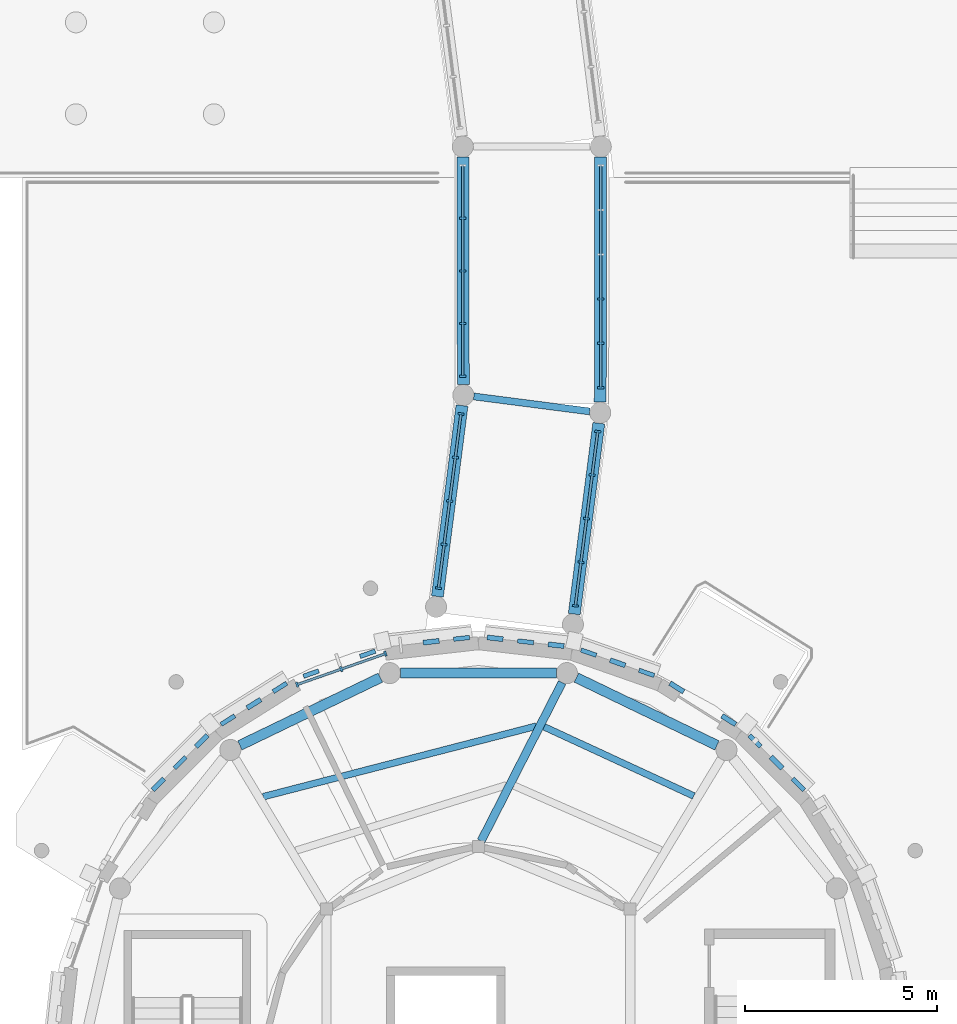
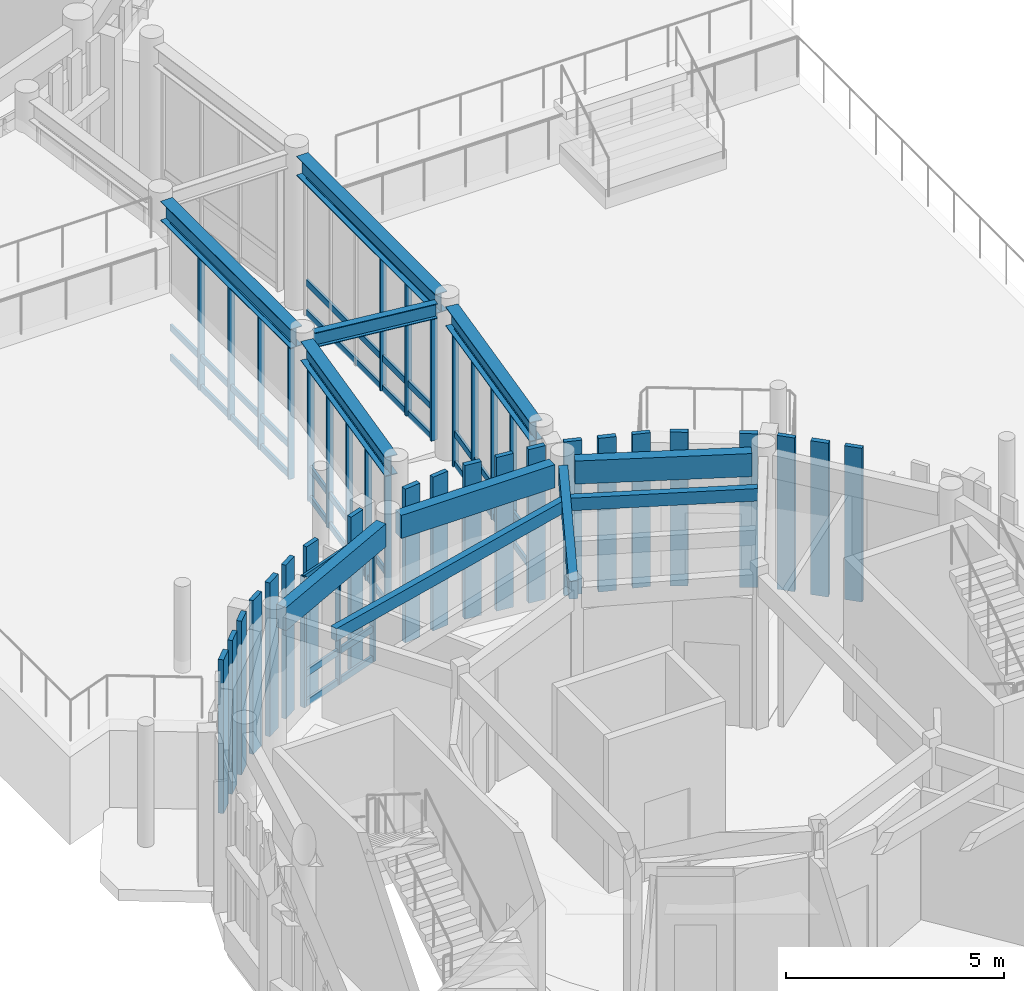
# One storey, part 19 of 94: 56 members, 11 beams, 5 elements without a shape of their own.
"""IFC4 building model written with IfcOpenShell, lengths in metres."""

from ifc_helpers import new_model, si_unit, direction, frame, origin, origin_2d, place, context, subcontext, project, spatial, rectangle, i_section, extrude, material, layer, layer_set, material_profile, profile_set, type_object, element, aggregate, save


model = new_model("IFC4")

# Units and contexts
model_context = context("Model", 3, precision=1e-05, world=origin(), true_north=direction((0.0, 1.0)))
body_context = subcontext(model_context, "Body", "Model", "MODEL_VIEW")
ifc_project = project(units=[si_unit("LENGTHUNIT", "METRE"), si_unit("AREAUNIT", "SQUARE_METRE"), si_unit("VOLUMEUNIT", "CUBIC_METRE"), si_unit("PLANEANGLEUNIT", "RADIAN"), si_unit("MASSUNIT", "GRAM", prefix="KILO")], contexts=[model_context])

# Site, building, storey
site_placement = place(None, origin())
site = spatial("IfcSite", under=ifc_project, at=site_placement, CompositionType="ELEMENT")
building_placement = place(site_placement, origin())
building = spatial("IfcBuilding", under=site, at=building_placement, Name="Aldenvaro Health Centre", CompositionType="ELEMENT")
storey_placement = place(building_placement, origin())
storey = spatial("IfcBuildingStorey", under=building, at=storey_placement, Name="L00", CompositionType="ELEMENT", Elevation=0.0)

# Beams
ifc_material_1 = material(Name="Glulam GL28h", Category="wood")
ifc_material_profile_1 = material_profile(ifc_material_1, rectangle(XDim=0.175048828125, YDim=0.35009765625, at=origin_2d()), Name="GL 175x350", Category="wood")
ifc_profile_set_1 = profile_set([ifc_material_profile_1], Name="Glulam GL28h")
beam_type_1 = type_object("IfcBeamType", Name="BM-GL-350", PredefinedType="JOIST", material=ifc_profile_set_1)
beam_1_placement = place(storey_placement, frame((29.12109375, 64.4140625, 4.1298828125), z_axis=(-0.907768314823, 0.419471913963, 0.0), x_axis=(-0.419471913963, -0.907768314823, 0.0)))
element("IfcBeam", 1, at=beam_1_placement, inside=storey, type_object=beam_type_1, Name="D3 L00 secondary joist 01.2", PredefinedType="JOIST", context=body_context, shape_type="SweptSolid", body=[
    extrude(rectangle(XDim=0.175048828125, YDim=0.35009765625, at=origin_2d()), origin(), (0.0, 0.0, 1.0), 4.302978515625),
])
beam_2_placement = place(storey_placement, frame((25.012939453125, 66.237060546875, 4.1298828125), z_axis=(-0.968184326998, -0.250238104522, 0.0), x_axis=(0.250238104522, -0.968184326998, 0.0)))
element("IfcBeam", 2, at=beam_2_placement, inside=storey, type_object=beam_type_1, Name="D3 L00 secondary joist 02.2", PredefinedType="JOIST", context=body_context, shape_type="SweptSolid", body=[
    extrude(rectangle(XDim=0.175048828125, YDim=0.35009765625, at=origin_2d()), origin(), (0.0, 0.0, 1.0), 7.361083984375),
])
ifc_material_profile_2 = material_profile(ifc_material_1, rectangle(XDim=0.215087890625, YDim=0.493896484375, at=origin_2d()), Name="GL 215x494", Category="wood")
ifc_profile_set_2 = profile_set([ifc_material_profile_2], Name="Glulam GL28h")
beam_type_2 = type_object("IfcBeamType", Name="BM-GL-494", PredefinedType="BEAM", material=ifc_profile_set_2)
beam_3_placement = place(storey_placement, frame((23.572021484375, 63.239990234375, 4.05810546875), z_axis=(0.455040655824, 0.890470662934, 0.0), x_axis=(-0.890470662934, 0.455040655824, 0.0)))
element("IfcBeam", 3, at=beam_3_placement, inside=storey, type_object=beam_type_2, Name="D3 L00 radial beam 02", PredefinedType="BEAM", context=body_context, shape_type="SweptSolid", body=[
    extrude(rectangle(XDim=0.215087890625, YDim=0.493896484375, at=origin_2d()), origin(), (0.0, 0.0, 1.0), 4.6435546875),
])
ifc_material_profile_3 = material_profile(ifc_material_1, rectangle(XDim=0.264892578125, YDim=0.64599609375, at=origin_2d()), Name="GL 265x646", Category="wood")
ifc_profile_set_3 = profile_set([ifc_material_profile_3], Name="Glulam GL28h")
beam_type_3 = type_object("IfcBeamType", Name="BM-GL-646", PredefinedType="SPANDREL", material=ifc_profile_set_3)
beam_4_placement = place(storey_placement, frame((29.72412109375, 65.73388671875, 3.98193359375), z_axis=(-0.900812260888, 0.434208786914, 0.0), x_axis=(-0.434208786914, -0.900812260888, 0.0)))
element("IfcBeam", 4, at=beam_4_placement, inside=storey, type_object=beam_type_3, Name="D3 L00 perimeter spandrel 03", PredefinedType="SPANDREL", context=body_context, shape_type="SweptSolid", body=[
    extrude(rectangle(XDim=0.264892578125, YDim=0.64599609375, at=origin_2d()), origin(), (0.0, 0.0, 1.0), 4.069580078125),
])
beam_5_placement = place(storey_placement, frame((25.534912109375, 67.6201171875, 3.98193359375), z_axis=(-1.0, 0.0, 0.0), x_axis=(0.0, -1.0, 0.0)))
element("IfcBeam", 5, at=beam_5_placement, inside=storey, type_object=beam_type_3, Name="D3 L00 perimeter spandrel 04", PredefinedType="SPANDREL", context=body_context, shape_type="SweptSolid", body=[
    extrude(rectangle(XDim=0.264892578125, YDim=0.64599609375, at=origin_2d()), origin(), (0.0, 0.0, 1.0), 4.06982421875),
])
beam_6_placement = place(storey_placement, frame((20.94189453125, 67.5009765625, 3.98193359375), z_axis=(-0.900812260888, -0.434208786914, 0.0), x_axis=(0.434208786914, -0.900812260888, 0.0)))
element("IfcBeam", 6, at=beam_6_placement, inside=storey, type_object=beam_type_3, Name="D3 L00 perimeter spandrel 05", PredefinedType="SPANDREL", context=body_context, shape_type="SweptSolid", body=[
    extrude(rectangle(XDim=0.264892578125, YDim=0.64599609375, at=origin_2d()), origin(), (0.0, 0.0, 1.0), 4.069580078125),
])
ifc_material_2 = material(Name="Steel ASTM A992 Grade 50", Category="steel")
ifc_material_profile_4 = material_profile(ifc_material_2, i_section(OverallWidth=0.180908203125, OverallDepth=0.4169921875, WebThickness=0.010986328125, FlangeThickness=0.018310546875, at=origin_2d()), Name="W16X57", Category="steel")
ifc_profile_set_4 = profile_set([ifc_material_profile_4], Name="Steel ASTM A992 Grade 50")
beam_type_4 = type_object("IfcBeamType", Name="BM-ST-W16E", PredefinedType="JOIST", material=ifc_profile_set_4)
beam_7_placement = place(storey_placement, frame((23.381103515625, 74.837890625, 4.135986328125), z_axis=(0.991789992039, -0.127877330638, 0.0), x_axis=(0.127877330638, 0.991789992039, 0.0)))
element("IfcBeam", 7, at=beam_7_placement, inside=storey, type_object=beam_type_4, Name="West North Curved Garden Walkway Arc 1 L00 cross beam 2", PredefinedType="JOIST", context=body_context, shape_type="SweptSolid", body=[
    extrude(i_section(OverallWidth=0.180908203125, OverallDepth=0.4169921875, WebThickness=0.010986328125, FlangeThickness=0.018310546875, at=origin_2d()), origin(), (0.0, 0.0, 1.0), 3.049072265625),
])
ifc_material_profile_5 = material_profile(ifc_material_2, i_section(OverallWidth=0.31201171875, OverallDepth=0.54296875, WebThickness=0.0126953125, FlangeThickness=0.020263671875, at=origin_2d()), Name="W21X101", Category="steel")
ifc_profile_set_5 = profile_set([ifc_material_profile_5], Name="Steel ASTM A992 Grade 50")
beam_type_5 = type_object("IfcBeamType", Name="BM-ST-W21E", PredefinedType="BEAM", material=ifc_profile_set_5)
for number, where, z_axis, x_axis, name in (
    (8, (22.430908203125, 69.6201171875, 4.073974609375), (0.127875685698, 0.99179020413, 0.0), (-0.99179020413, 0.127875685698, 0.0), "West North Curved Garden Walkway Arc 1 L00 girder L-1"),
    (9, (26.0009765625, 69.159912109375, 4.073974609375), (0.127875685698, 0.99179020413, 0.0), (-0.99179020413, 0.127875685698, 0.0), "West North Curved Garden Walkway Arc 1 L00 girder R-1"),
):
    element("IfcBeam", number, at=place(storey_placement, frame(where, z_axis=z_axis, x_axis=x_axis)), inside=storey, type_object=beam_type_5, Name=name, PredefinedType="BEAM", context=body_context, shape_type="SweptSolid", body=[
        extrude(i_section(OverallWidth=0.31201171875, OverallDepth=0.54296875, WebThickness=0.0126953125, FlangeThickness=0.020263671875, at=origin_2d()), origin(), (0.0, 0.0, 1.0), 5.021240234375),
    ])
beam_8_placement = place(storey_placement, frame((23.10693359375, 75.14794921875, 4.073974609375), z_axis=(-0.002180526372, 0.99999762265, 0.0), x_axis=(-0.99999762265, -0.002180526372, 0.0)))
element("IfcBeam", 10, at=beam_8_placement, inside=storey, type_object=beam_type_5, Name="West North Curved Garden Walkway Arc 2 L00 girder L-1", PredefinedType="BEAM", context=body_context, shape_type="SweptSolid", body=[
    extrude(i_section(OverallWidth=0.31201171875, OverallDepth=0.54296875, WebThickness=0.0126953125, FlangeThickness=0.020263671875, at=origin_2d()), origin(), (0.0, 0.0, 1.0), 5.93408203125),
])
beam_9_placement = place(storey_placement, frame((26.678955078125, 74.68798828125, 4.073974609375), z_axis=(0.002023669014, 0.99999795238, 0.0), x_axis=(-0.99999795238, 0.002023669014, 0.0)))
element("IfcBeam", 11, at=beam_9_placement, inside=storey, type_object=beam_type_5, Name="West North Curved Garden Walkway Arc 2 L00 girder R-1", PredefinedType="BEAM", context=body_context, shape_type="SweptSolid", body=[
    extrude(i_section(OverallWidth=0.31201171875, OverallDepth=0.54296875, WebThickness=0.0126953125, FlangeThickness=0.020263671875, at=origin_2d()), origin(), (0.0, 0.0, 1.0), 6.39404296875),
])

# Curtain wall, members
ifc_material_3 = material(Name="Anodised Aluminium 6063-T6", Category="aluminium")
ifc_layer_1 = layer(ifc_material_3, 0.195068359375, Name="Anodised Aluminium 6063-T6", Category="aluminium")
ifc_layer_set_1 = layer_set([ifc_layer_1], Name="Anodised Aluminium 6063-T6")
curtain_wall_type_1 = type_object("IfcCurtainWallType", Name="CW-CLN-02", PredefinedType="NOTDEFINED", material=ifc_layer_set_1)
curtain_wall_1_placement = place(storey_placement, origin())
curtain_wall_1 = element("IfcCurtainWall", 12, at=curtain_wall_1_placement, inside=storey, type_object=curtain_wall_type_1, Name="D3 L00 curtain wall bay 20", PredefinedType="NOTDEFINED")
ifc_material_profile_6 = material_profile(ifc_material_3, rectangle(XDim=0.06005859375, YDim=0.135009765625, at=origin_2d()), Name="ALU 60x135", Category="aluminium")
ifc_profile_set_6 = profile_set([ifc_material_profile_6], Name="Anodised Aluminium 6063-T6")
member_type_1 = type_object("IfcMemberType", Name="CWM-150", PredefinedType="MULLION", material=ifc_profile_set_6)
member_1_placement = place(storey_placement, frame((18.77099609375, 67.321044921875, 0.0), z_axis=(0.0, 0.0, 1.0), x_axis=(0.943909441385, 0.330204431323, 0.0)))
member_1 = element("IfcMember", 13, at=member_1_placement, type_object=member_type_1, Name="D3 L00 curtain wall bay 20 mullion 1", PredefinedType="MULLION", context=body_context, shape_type="SweptSolid", body=[
    extrude(rectangle(XDim=0.06005859375, YDim=0.135009765625, at=origin_2d()), origin(), (0.0, 0.0, 1.0), 3.658935546875),
])
member_2_placement = place(storey_placement, frame((19.923095703125, 67.72412109375, 0.0), z_axis=(0.0, 0.0, 1.0), x_axis=(0.943909441385, 0.330204431323, 0.0)))
member_2 = element("IfcMember", 14, at=member_2_placement, type_object=member_type_1, Name="D3 L00 curtain wall bay 20 mullion 2", PredefinedType="MULLION", context=body_context, shape_type="SweptSolid", body=[
    extrude(rectangle(XDim=0.06005859375, YDim=0.135009765625, at=origin_2d()), origin(), (0.0, 0.0, 1.0), 3.658935546875),
])
member_3_placement = place(storey_placement, frame((21.074951171875, 68.126953125, 0.0), z_axis=(0.0, 0.0, 1.0), x_axis=(0.943909441385, 0.330204431323, 0.0)))
member_3 = element("IfcMember", 15, at=member_3_placement, type_object=member_type_1, Name="D3 L00 curtain wall bay 20 mullion 3", PredefinedType="MULLION", context=body_context, shape_type="SweptSolid", body=[
    extrude(rectangle(XDim=0.06005859375, YDim=0.135009765625, at=origin_2d()), origin(), (0.0, 0.0, 1.0), 3.658935546875),
])

ifc_layer_2 = layer(ifc_material_3, 0.2099609375, Name="Anodised Aluminium 6063-T6", Category="aluminium")
ifc_layer_set_2 = layer_set([ifc_layer_2], Name="Anodised Aluminium 6063-T6")
curtain_wall_type_2 = type_object("IfcCurtainWallType", Name="CW-BRG-03", PredefinedType="NOTDEFINED", material=ifc_layer_set_2)
curtain_wall_2_placement = place(storey_placement, origin())
curtain_wall_2 = element("IfcCurtainWall", 16, at=curtain_wall_2_placement, inside=storey, type_object=curtain_wall_type_2, Name="West North Curved Garden Walkway Arc 1 L00 glazed link wall L-1.1", PredefinedType="NOTDEFINED")
ifc_material_profile_7 = material_profile(ifc_material_3, rectangle(XDim=0.06005859375, YDim=0.159912109375, at=origin_2d()), Name="ALU 60x160", Category="aluminium")
ifc_profile_set_7 = profile_set([ifc_material_profile_7], Name="Anodised Aluminium 6063-T6")
member_type_2 = type_object("IfcMemberType", Name="CWM-180", PredefinedType="MULLION", material=ifc_profile_set_7)
member_4_placement = place(storey_placement, frame((22.458984375, 69.8369140625, 0.0), z_axis=(0.0, 0.0, 1.0), x_axis=(0.127846732711, 0.99179393673, 0.0)))
member_4 = element("IfcMember", 17, at=member_4_placement, type_object=member_type_2, Name="West North Curved Garden Walkway Arc 1 L00 glazed link wall L-1.1 mullion 1", PredefinedType="MULLION", context=body_context, shape_type="SweptSolid", body=[
    extrude(rectangle(XDim=0.06005859375, YDim=0.159912109375, at=origin_2d()), origin(), (0.0, 0.0, 1.0), 3.804931640625),
])
member_5_placement = place(storey_placement, frame((22.60498046875, 70.97412109375, 0.0), z_axis=(0.0, 0.0, 1.0), x_axis=(0.127846732711, 0.99179393673, 0.0)))
member_5 = element("IfcMember", 18, at=member_5_placement, type_object=member_type_2, Name="West North Curved Garden Walkway Arc 1 L00 glazed link wall L-1.1 mullion 2", PredefinedType="MULLION", context=body_context, shape_type="SweptSolid", body=[
    extrude(rectangle(XDim=0.06005859375, YDim=0.159912109375, at=origin_2d()), origin(), (0.0, 0.0, 1.0), 3.804931640625),
])
member_6_placement = place(storey_placement, frame((22.751953125, 72.110107421875, 0.0), z_axis=(0.0, 0.0, 1.0), x_axis=(0.127846732711, 0.99179393673, 0.0)))
member_6 = element("IfcMember", 19, at=member_6_placement, type_object=member_type_2, Name="West North Curved Garden Walkway Arc 1 L00 glazed link wall L-1.1 mullion 3", PredefinedType="MULLION", context=body_context, shape_type="SweptSolid", body=[
    extrude(rectangle(XDim=0.06005859375, YDim=0.159912109375, at=origin_2d()), origin(), (0.0, 0.0, 1.0), 3.804931640625),
])
member_7_placement = place(storey_placement, frame((22.89892578125, 73.24609375, 0.0), z_axis=(0.0, 0.0, 1.0), x_axis=(0.127846732711, 0.99179393673, 0.0)))
member_7 = element("IfcMember", 20, at=member_7_placement, type_object=member_type_2, Name="West North Curved Garden Walkway Arc 1 L00 glazed link wall L-1.1 mullion 4", PredefinedType="MULLION", context=body_context, shape_type="SweptSolid", body=[
    extrude(rectangle(XDim=0.06005859375, YDim=0.159912109375, at=origin_2d()), origin(), (0.0, 0.0, 1.0), 3.804931640625),
])
member_8_placement = place(storey_placement, frame((23.044921875, 74.383056640625, 0.0), z_axis=(0.0, 0.0, 1.0), x_axis=(0.127846732711, 0.99179393673, 0.0)))
member_8 = element("IfcMember", 21, at=member_8_placement, type_object=member_type_2, Name="West North Curved Garden Walkway Arc 1 L00 glazed link wall L-1.1 mullion 5", PredefinedType="MULLION", context=body_context, shape_type="SweptSolid", body=[
    extrude(rectangle(XDim=0.06005859375, YDim=0.159912109375, at=origin_2d()), origin(), (0.0, 0.0, 1.0), 3.804931640625),
])

curtain_wall_3_placement = place(storey_placement, origin())
curtain_wall_3 = element("IfcCurtainWall", 22, at=curtain_wall_3_placement, inside=storey, type_object=curtain_wall_type_2, Name="West North Curved Garden Walkway Arc 1 L00 glazed link wall R-1.1", PredefinedType="NOTDEFINED")
member_9_placement = place(storey_placement, frame((26.030029296875, 69.376953125, 0.0), z_axis=(0.0, 0.0, 1.0), x_axis=(0.127632121171, 0.991821577526, 0.0)))
member_9 = element("IfcMember", 23, at=member_9_placement, type_object=member_type_2, Name="West North Curved Garden Walkway Arc 1 L00 glazed link wall R-1.1 mullion 1", PredefinedType="MULLION", context=body_context, shape_type="SweptSolid", body=[
    extrude(rectangle(XDim=0.06005859375, YDim=0.159912109375, at=origin_2d()), origin(), (0.0, 0.0, 1.0), 3.804931640625),
])
member_10_placement = place(storey_placement, frame((26.176025390625, 70.512939453125, 0.0), z_axis=(0.0, 0.0, 1.0), x_axis=(0.127632121171, 0.991821577526, 0.0)))
member_10 = element("IfcMember", 24, at=member_10_placement, type_object=member_type_2, Name="West North Curved Garden Walkway Arc 1 L00 glazed link wall R-1.1 mullion 2", PredefinedType="MULLION", context=body_context, shape_type="SweptSolid", body=[
    extrude(rectangle(XDim=0.06005859375, YDim=0.159912109375, at=origin_2d()), origin(), (0.0, 0.0, 1.0), 3.804931640625),
])
member_11_placement = place(storey_placement, frame((26.322021484375, 71.64990234375, 0.0), z_axis=(0.0, 0.0, 1.0), x_axis=(0.127632121171, 0.991821577526, 0.0)))
member_11 = element("IfcMember", 25, at=member_11_placement, type_object=member_type_2, Name="West North Curved Garden Walkway Arc 1 L00 glazed link wall R-1.1 mullion 3", PredefinedType="MULLION", context=body_context, shape_type="SweptSolid", body=[
    extrude(rectangle(XDim=0.06005859375, YDim=0.159912109375, at=origin_2d()), origin(), (0.0, 0.0, 1.0), 3.804931640625),
])
member_12_placement = place(storey_placement, frame((26.468994140625, 72.787109375, 0.0), z_axis=(0.0, 0.0, 1.0), x_axis=(0.127632121171, 0.991821577526, 0.0)))
member_12 = element("IfcMember", 26, at=member_12_placement, type_object=member_type_2, Name="West North Curved Garden Walkway Arc 1 L00 glazed link wall R-1.1 mullion 4", PredefinedType="MULLION", context=body_context, shape_type="SweptSolid", body=[
    extrude(rectangle(XDim=0.06005859375, YDim=0.159912109375, at=origin_2d()), origin(), (0.0, 0.0, 1.0), 3.804931640625),
])
member_13_placement = place(storey_placement, frame((26.614990234375, 73.923095703125, 0.0), z_axis=(0.0, 0.0, 1.0), x_axis=(0.127632121171, 0.991821577526, 0.0)))
member_13 = element("IfcMember", 27, at=member_13_placement, type_object=member_type_2, Name="West North Curved Garden Walkway Arc 1 L00 glazed link wall R-1.1 mullion 5", PredefinedType="MULLION", context=body_context, shape_type="SweptSolid", body=[
    extrude(rectangle(XDim=0.06005859375, YDim=0.159912109375, at=origin_2d()), origin(), (0.0, 0.0, 1.0), 3.804931640625),
])

curtain_wall_4_placement = place(storey_placement, origin())
curtain_wall_4 = element("IfcCurtainWall", 28, at=curtain_wall_4_placement, inside=storey, type_object=curtain_wall_type_2, Name="West North Curved Garden Walkway Arc 2 L00 glazed link wall L-1.1", PredefinedType="NOTDEFINED")
member_14_placement = place(storey_placement, frame((23.093017578125, 75.366943359375, 0.0), z_axis=(0.0, 0.0, 1.0), x_axis=(0.0, 1.0, 0.0)))
member_14 = element("IfcMember", 29, at=member_14_placement, type_object=member_type_2, Name="West North Curved Garden Walkway Arc 2 L00 glazed link wall L-1.1 mullion 1", PredefinedType="MULLION", context=body_context, shape_type="SweptSolid", body=[
    extrude(rectangle(XDim=0.06005859375, YDim=0.159912109375, at=origin_2d()), origin(), (0.0, 0.0, 1.0), 3.804931640625),
])
member_15_placement = place(storey_placement, frame((23.093017578125, 76.740966796875, 0.0), z_axis=(0.0, 0.0, 1.0), x_axis=(0.0, 1.0, 0.0)))
member_15 = element("IfcMember", 30, at=member_15_placement, type_object=member_type_2, Name="West North Curved Garden Walkway Arc 2 L00 glazed link wall L-1.1 mullion 2", PredefinedType="MULLION", context=body_context, shape_type="SweptSolid", body=[
    extrude(rectangle(XDim=0.06005859375, YDim=0.159912109375, at=origin_2d()), origin(), (0.0, 0.0, 1.0), 3.804931640625),
])
member_16_placement = place(storey_placement, frame((23.093017578125, 78.114013671875, 0.0), z_axis=(0.0, 0.0, 1.0), x_axis=(0.0, 1.0, 0.0)))
member_16 = element("IfcMember", 31, at=member_16_placement, type_object=member_type_2, Name="West North Curved Garden Walkway Arc 2 L00 glazed link wall L-1.1 mullion 3", PredefinedType="MULLION", context=body_context, shape_type="SweptSolid", body=[
    extrude(rectangle(XDim=0.06005859375, YDim=0.159912109375, at=origin_2d()), origin(), (0.0, 0.0, 1.0), 3.804931640625),
])
member_17_placement = place(storey_placement, frame((23.093017578125, 79.488037109375, 0.0), z_axis=(0.0, 0.0, 1.0), x_axis=(0.0, 1.0, 0.0)))
member_17 = element("IfcMember", 32, at=member_17_placement, type_object=member_type_2, Name="West North Curved Garden Walkway Arc 2 L00 glazed link wall L-1.1 mullion 4", PredefinedType="MULLION", context=body_context, shape_type="SweptSolid", body=[
    extrude(rectangle(XDim=0.06005859375, YDim=0.159912109375, at=origin_2d()), origin(), (0.0, 0.0, 1.0), 3.804931640625),
])

curtain_wall_5_placement = place(storey_placement, origin())
curtain_wall_5 = element("IfcCurtainWall", 33, at=curtain_wall_5_placement, inside=storey, type_object=curtain_wall_type_2, Name="West North Curved Garden Walkway Arc 2 L00 glazed link wall R-1.1", PredefinedType="NOTDEFINED")
member_18_placement = place(storey_placement, frame((26.693115234375, 75.06298828125, 0.0), z_axis=(0.0, 0.0, 1.0), x_axis=(0.0, 1.0, 0.0)))
member_18 = element("IfcMember", 34, at=member_18_placement, type_object=member_type_2, Name="West North Curved Garden Walkway Arc 2 L00 glazed link wall R-1.1 mullion 1", PredefinedType="MULLION", context=body_context, shape_type="SweptSolid", body=[
    extrude(rectangle(XDim=0.06005859375, YDim=0.159912109375, at=origin_2d()), origin(), (0.0, 0.0, 1.0), 3.804931640625),
])
member_19_placement = place(storey_placement, frame((26.693115234375, 76.222900390625, 0.0), z_axis=(0.0, 0.0, 1.0), x_axis=(0.0, 1.0, 0.0)))
member_19 = element("IfcMember", 35, at=member_19_placement, type_object=member_type_2, Name="West North Curved Garden Walkway Arc 2 L00 glazed link wall R-1.1 mullion 2", PredefinedType="MULLION", context=body_context, shape_type="SweptSolid", body=[
    extrude(rectangle(XDim=0.06005859375, YDim=0.159912109375, at=origin_2d()), origin(), (0.0, 0.0, 1.0), 3.804931640625),
])
member_20_placement = place(storey_placement, frame((26.693115234375, 77.383056640625, 0.0), z_axis=(0.0, 0.0, 1.0), x_axis=(0.0, 1.0, 0.0)))
member_20 = element("IfcMember", 36, at=member_20_placement, type_object=member_type_2, Name="West North Curved Garden Walkway Arc 2 L00 glazed link wall R-1.1 mullion 3", PredefinedType="MULLION", context=body_context, shape_type="SweptSolid", body=[
    extrude(rectangle(XDim=0.06005859375, YDim=0.159912109375, at=origin_2d()), origin(), (0.0, 0.0, 1.0), 3.804931640625),
])

# Member
ifc_material_profile_8 = material_profile(ifc_material_3, rectangle(XDim=0.06494140625, YDim=0.179931640625, at=origin_2d()), Name="ALU 65x180", Category="aluminium")
ifc_profile_set_8 = profile_set([ifc_material_profile_8], Name="Anodised Aluminium 6063-T6")
member_type_3 = type_object("IfcMemberType", Name="CWT-150", PredefinedType="USERDEFINED", material=ifc_profile_set_8)
member_21_placement = place(storey_placement, frame((18.77099609375, 67.321044921875, 0.06005859375), z_axis=(0.943919156274, 0.330176659411, 0.0), x_axis=(-0.330176659411, 0.943919156274, 0.0)))
member_21 = element("IfcMember", 37, at=member_21_placement, type_object=member_type_3, Name="D3 L00 curtain wall bay 20 transom 1", ObjectType="TRANSOM", PredefinedType="USERDEFINED", context=body_context, shape_type="SweptSolid", body=[
    extrude(rectangle(XDim=0.06494140625, YDim=0.179931640625, at=origin_2d()), origin(), (0.0, 0.0, 1.0), 2.44091796875),
])

member_22_placement = place(storey_placement, frame((18.77099609375, 67.321044921875, 0.89990234375), z_axis=(0.943919156274, 0.330176659411, 0.0), x_axis=(-0.330176659411, 0.943919156274, 0.0)))
member_22 = element("IfcMember", 38, at=member_22_placement, type_object=member_type_3, Name="D3 L00 curtain wall bay 20 transom 2", ObjectType="TRANSOM", PredefinedType="USERDEFINED", context=body_context, shape_type="SweptSolid", body=[
    extrude(rectangle(XDim=0.06494140625, YDim=0.179931640625, at=origin_2d()), origin(), (0.0, 0.0, 1.0), 2.44091796875),
])

member_23_placement = place(storey_placement, frame((18.77099609375, 67.321044921875, 3.59912109375), z_axis=(0.943919156274, 0.330176659411, 0.0), x_axis=(-0.330176659411, 0.943919156274, 0.0)))
member_23 = element("IfcMember", 39, at=member_23_placement, type_object=member_type_3, Name="D3 L00 curtain wall bay 20 transom 3", ObjectType="TRANSOM", PredefinedType="USERDEFINED", context=body_context, shape_type="SweptSolid", body=[
    extrude(rectangle(XDim=0.06494140625, YDim=0.179931640625, at=origin_2d()), origin(), (0.0, 0.0, 1.0), 2.44091796875),
])

aggregate(curtain_wall_1, [member_1, member_2, member_3, member_21, member_22, member_23])

member_24_placement = place(storey_placement, frame((22.458984375, 69.8369140625, 0.06005859375), z_axis=(0.127829376367, 0.991796173887, 0.0), x_axis=(-0.991796173887, 0.127829376367, 0.0)))
member_24 = element("IfcMember", 40, at=member_24_placement, type_object=member_type_3, Name="West North Curved Garden Walkway Arc 1 L00 glazed link wall L-1.1 transom 1", ObjectType="TRANSOM", PredefinedType="USERDEFINED", context=body_context, shape_type="SweptSolid", body=[
    extrude(rectangle(XDim=0.06494140625, YDim=0.179931640625, at=origin_2d()), origin(), (0.0, 0.0, 1.0), 4.583740234375),
])

member_25_placement = place(storey_placement, frame((22.458984375, 69.8369140625, 0.89990234375), z_axis=(0.127829376367, 0.991796173887, 0.0), x_axis=(-0.991796173887, 0.127829376367, 0.0)))
member_25 = element("IfcMember", 41, at=member_25_placement, type_object=member_type_3, Name="West North Curved Garden Walkway Arc 1 L00 glazed link wall L-1.1 transom 2", ObjectType="TRANSOM", PredefinedType="USERDEFINED", context=body_context, shape_type="SweptSolid", body=[
    extrude(rectangle(XDim=0.06494140625, YDim=0.179931640625, at=origin_2d()), origin(), (0.0, 0.0, 1.0), 4.583740234375),
])

member_26_placement = place(storey_placement, frame((22.458984375, 69.8369140625, 3.7451171875), z_axis=(0.127829376367, 0.991796173887, 0.0), x_axis=(-0.991796173887, 0.127829376367, 0.0)))
member_26 = element("IfcMember", 42, at=member_26_placement, type_object=member_type_3, Name="West North Curved Garden Walkway Arc 1 L00 glazed link wall L-1.1 transom 3", ObjectType="TRANSOM", PredefinedType="USERDEFINED", context=body_context, shape_type="SweptSolid", body=[
    extrude(rectangle(XDim=0.06494140625, YDim=0.179931640625, at=origin_2d()), origin(), (0.0, 0.0, 1.0), 4.583740234375),
])

aggregate(curtain_wall_2, [member_4, member_5, member_6, member_7, member_8, member_24, member_25, member_26])

member_27_placement = place(storey_placement, frame((26.030029296875, 69.376953125, 0.06005859375), z_axis=(0.127619800144, 0.991823162974, 0.0), x_axis=(-0.991823162974, 0.127619800144, 0.0)))
member_27 = element("IfcMember", 43, at=member_27_placement, type_object=member_type_3, Name="West North Curved Garden Walkway Arc 1 L00 glazed link wall R-1.1 transom 1", ObjectType="TRANSOM", PredefinedType="USERDEFINED", context=body_context, shape_type="SweptSolid", body=[
    extrude(rectangle(XDim=0.06494140625, YDim=0.179931640625, at=origin_2d()), origin(), (0.0, 0.0, 1.0), 4.583740234375),
])

member_28_placement = place(storey_placement, frame((26.030029296875, 69.376953125, 0.89990234375), z_axis=(0.127619800144, 0.991823162974, 0.0), x_axis=(-0.991823162974, 0.127619800144, 0.0)))
member_28 = element("IfcMember", 44, at=member_28_placement, type_object=member_type_3, Name="West North Curved Garden Walkway Arc 1 L00 glazed link wall R-1.1 transom 2", ObjectType="TRANSOM", PredefinedType="USERDEFINED", context=body_context, shape_type="SweptSolid", body=[
    extrude(rectangle(XDim=0.06494140625, YDim=0.179931640625, at=origin_2d()), origin(), (0.0, 0.0, 1.0), 4.583740234375),
])

member_29_placement = place(storey_placement, frame((26.030029296875, 69.376953125, 3.7451171875), z_axis=(0.127619800144, 0.991823162974, 0.0), x_axis=(-0.991823162974, 0.127619800144, 0.0)))
member_29 = element("IfcMember", 45, at=member_29_placement, type_object=member_type_3, Name="West North Curved Garden Walkway Arc 1 L00 glazed link wall R-1.1 transom 3", ObjectType="TRANSOM", PredefinedType="USERDEFINED", context=body_context, shape_type="SweptSolid", body=[
    extrude(rectangle(XDim=0.06494140625, YDim=0.179931640625, at=origin_2d()), origin(), (0.0, 0.0, 1.0), 4.583740234375),
])

aggregate(curtain_wall_3, [member_9, member_10, member_11, member_12, member_13, member_27, member_28, member_29])

member_30_placement = place(storey_placement, frame((23.093017578125, 75.366943359375, 0.06005859375), z_axis=(0.0, 1.0, 0.0), x_axis=(-1.0, 0.0, 0.0)))
member_30 = element("IfcMember", 46, at=member_30_placement, type_object=member_type_3, Name="West North Curved Garden Walkway Arc 2 L00 glazed link wall L-1.1 transom 1", ObjectType="TRANSOM", PredefinedType="USERDEFINED", context=body_context, shape_type="SweptSolid", body=[
    extrude(rectangle(XDim=0.06494140625, YDim=0.179931640625, at=origin_2d()), origin(), (0.0, 0.0, 1.0), 5.4951171875),
])

member_31_placement = place(storey_placement, frame((23.093017578125, 75.366943359375, 0.89990234375), z_axis=(0.0, 1.0, 0.0), x_axis=(-1.0, 0.0, 0.0)))
member_31 = element("IfcMember", 47, at=member_31_placement, type_object=member_type_3, Name="West North Curved Garden Walkway Arc 2 L00 glazed link wall L-1.1 transom 2", ObjectType="TRANSOM", PredefinedType="USERDEFINED", context=body_context, shape_type="SweptSolid", body=[
    extrude(rectangle(XDim=0.06494140625, YDim=0.179931640625, at=origin_2d()), origin(), (0.0, 0.0, 1.0), 5.4951171875),
])

member_32_placement = place(storey_placement, frame((23.093017578125, 75.366943359375, 3.7451171875), z_axis=(0.0, 1.0, 0.0), x_axis=(-1.0, 0.0, 0.0)))
member_32 = element("IfcMember", 48, at=member_32_placement, type_object=member_type_3, Name="West North Curved Garden Walkway Arc 2 L00 glazed link wall L-1.1 transom 3", ObjectType="TRANSOM", PredefinedType="USERDEFINED", context=body_context, shape_type="SweptSolid", body=[
    extrude(rectangle(XDim=0.06494140625, YDim=0.179931640625, at=origin_2d()), origin(), (0.0, 0.0, 1.0), 5.4951171875),
])

aggregate(curtain_wall_4, [member_14, member_15, member_16, member_17, member_30, member_31, member_32])

member_33_placement = place(storey_placement, frame((26.693115234375, 75.06298828125, 0.06005859375), z_axis=(0.0, 1.0, 0.0), x_axis=(-1.0, 0.0, 0.0)))
member_33 = element("IfcMember", 49, at=member_33_placement, type_object=member_type_3, Name="West North Curved Garden Walkway Arc 2 L00 glazed link wall R-1.1 transom 1", ObjectType="TRANSOM", PredefinedType="USERDEFINED", context=body_context, shape_type="SweptSolid", body=[
    extrude(rectangle(XDim=0.06494140625, YDim=0.179931640625, at=origin_2d()), origin(), (0.0, 0.0, 1.0), 5.799072265625),
])

member_34_placement = place(storey_placement, frame((26.693115234375, 75.06298828125, 0.89990234375), z_axis=(0.0, 1.0, 0.0), x_axis=(-1.0, 0.0, 0.0)))
member_34 = element("IfcMember", 50, at=member_34_placement, type_object=member_type_3, Name="West North Curved Garden Walkway Arc 2 L00 glazed link wall R-1.1 transom 2", ObjectType="TRANSOM", PredefinedType="USERDEFINED", context=body_context, shape_type="SweptSolid", body=[
    extrude(rectangle(XDim=0.06494140625, YDim=0.179931640625, at=origin_2d()), origin(), (0.0, 0.0, 1.0), 5.799072265625),
])

member_35_placement = place(storey_placement, frame((26.693115234375, 75.06298828125, 3.7451171875), z_axis=(0.0, 1.0, 0.0), x_axis=(-1.0, 0.0, 0.0)))
member_35 = element("IfcMember", 51, at=member_35_placement, type_object=member_type_3, Name="West North Curved Garden Walkway Arc 2 L00 glazed link wall R-1.1 transom 3", ObjectType="TRANSOM", PredefinedType="USERDEFINED", context=body_context, shape_type="SweptSolid", body=[
    extrude(rectangle(XDim=0.06494140625, YDim=0.179931640625, at=origin_2d()), origin(), (0.0, 0.0, 1.0), 5.799072265625),
])

aggregate(curtain_wall_5, [member_18, member_19, member_20, member_33, member_34, member_35])

# Members
ifc_material_profile_9 = material_profile(ifc_material_1, rectangle(XDim=0.114990234375, YDim=0.419921875, at=origin_2d()), Name="GL 115x420", Category="wood")
ifc_profile_set_9 = profile_set([ifc_material_profile_9], Name="Glulam GL28h")
member_type_4 = type_object("IfcMemberType", Name="MEM-SLT-420A", PredefinedType="POST", material=ifc_profile_set_9)
for number, where, z_axis, x_axis, name in (
    (52, (15.717041015625, 65.282958984375, 0.0), (0.0, 0.0, 1.0), (-0.707106781187, 0.707106781187, 0.0), "D3 L00 vertical timber slat 18.2"),
    (53, (16.966064453125, 66.39404296875, 0.0), (0.0, 0.0, 1.0), (-0.532096042675, 0.846684003256, 0.0), "D3 L00 vertical timber slat 19.1"),
    (54, (18.322021484375, 67.24609375, 0.0), (0.0, 0.0, 1.0), (-0.532096042675, 0.846684003256, 0.0), "D3 L00 vertical timber slat 19.3"),
    (55, (19.135986328125, 67.60791015625, 0.0), (0.0, 0.0, 1.0), (-0.330204431323, 0.943909441385, 0.0), "D3 L00 curtain mullion timber slat 20"),
    (56, (20.611083984375, 68.1240234375, 0.0), (0.0, 0.0, 1.0), (-0.330204431323, 0.943909441385, 0.0), "D3 L00 curtain mullion timber slat 20"),
    (57, (23.06298828125, 68.527099609375, 0.0), (0.0, 0.0, 1.0), (-0.111870646695, 0.993722777443, 0.0), "D3 L00 vertical timber slat 21.3"),
    (58, (24.73193359375, 68.43701171875, 0.0), (0.0, 0.0, 1.0), (0.111870646695, 0.993722777443, 0.0), "D3 L00 vertical timber slat 22.2"),
    (59, (26.37890625, 68.153076171875, 0.0), (0.0, 0.0, 1.0), (0.330204431323, 0.943909441385, 0.0), "D3 L00 vertical timber slat 23.1"),
    (60, (27.889892578125, 67.625, 0.0), (0.0, 0.0, 1.0), (0.330204431323, 0.943909441385, 0.0), "D3 L00 vertical timber slat 23.3"),
    (61, (30.717041015625, 65.84912109375, 0.0), (0.0, 0.0, 1.0), (0.707106781187, 0.707106781187, 0.0), "D3 L00 vertical timber slat 25.1"),
    (62, (31.84912109375, 64.717041015625, 0.0), (0.0, 0.0, 1.0), (0.707106781187, 0.707106781187, 0.0), "D3 L00 vertical timber slat 25.3"),
):
    element("IfcMember", number, at=place(storey_placement, frame(where, z_axis=z_axis, x_axis=x_axis)), inside=storey, type_object=member_type_4, Name=name, PredefinedType="POST", context=body_context, shape_type="SweptSolid", body=[
        extrude(rectangle(XDim=0.114990234375, YDim=0.419921875, at=origin_2d()), origin(), (0.0, 0.0, 1.0), 4.304931640625),
    ])
ifc_material_profile_10 = material_profile(ifc_material_1, rectangle(XDim=0.1298828125, YDim=0.419921875, at=origin_2d()), Name="GL 130x420", Category="wood")
ifc_profile_set_10 = profile_set([ifc_material_profile_10], Name="Glulam GL28h")
member_type_5 = type_object("IfcMemberType", Name="MEM-SLT-420B", PredefinedType="POST", material=ifc_profile_set_10)
for number, where, z_axis, x_axis, name in (
    (63, (15.15087890625, 64.717041015625, 0.0), (0.0, 0.0, 1.0), (-0.707106781187, 0.707106781187, 0.0), "D3 L00 vertical timber slat 18.1"),
    (64, (16.282958984375, 65.84912109375, 0.0), (0.0, 0.0, 1.0), (-0.707106781187, 0.707106781187, 0.0), "D3 L00 vertical timber slat 18.3"),
    (65, (17.64404296875, 66.820068359375, 0.0), (0.0, 0.0, 1.0), (-0.532096042675, 0.846684003256, 0.0), "D3 L00 vertical timber slat 19.2"),
    (66, (22.26806640625, 68.43701171875, 0.0), (0.0, 0.0, 1.0), (-0.111870646695, 0.993722777443, 0.0), "D3 L00 vertical timber slat 21.2"),
    (67, (23.93701171875, 68.527099609375, 0.0), (0.0, 0.0, 1.0), (0.111870646695, 0.993722777443, 0.0), "D3 L00 vertical timber slat 22.1"),
    (68, (25.527099609375, 68.347900390625, 0.0), (0.0, 0.0, 1.0), (0.111870646695, 0.993722777443, 0.0), "D3 L00 vertical timber slat 22.3"),
    (69, (27.135009765625, 67.888916015625, 0.0), (0.0, 0.0, 1.0), (0.330204431323, 0.943909441385, 0.0), "D3 L00 vertical timber slat 23.2"),
    (70, (28.677978515625, 67.24609375, 0.0), (0.0, 0.0, 1.0), (0.532096042675, 0.846684003256, 0.0), "D3 L00 vertical timber slat 24.1"),
    (71, (30.033935546875, 66.39404296875, 0.0), (0.0, 0.0, 1.0), (0.532096042675, 0.846684003256, 0.0), "D3 L00 vertical timber slat 24.3"),
    (72, (31.282958984375, 65.282958984375, 0.0), (0.0, 0.0, 1.0), (0.707106781187, 0.707106781187, 0.0), "D3 L00 vertical timber slat 25.2"),
):
    element("IfcMember", number, at=place(storey_placement, frame(where, z_axis=z_axis, x_axis=x_axis)), inside=storey, type_object=member_type_5, Name=name, PredefinedType="POST", context=body_context, shape_type="SweptSolid", body=[
        extrude(rectangle(XDim=0.1298828125, YDim=0.419921875, at=origin_2d()), origin(), (0.0, 0.0, 1.0), 4.304931640625),
    ])

save(model, "model.ifc")
